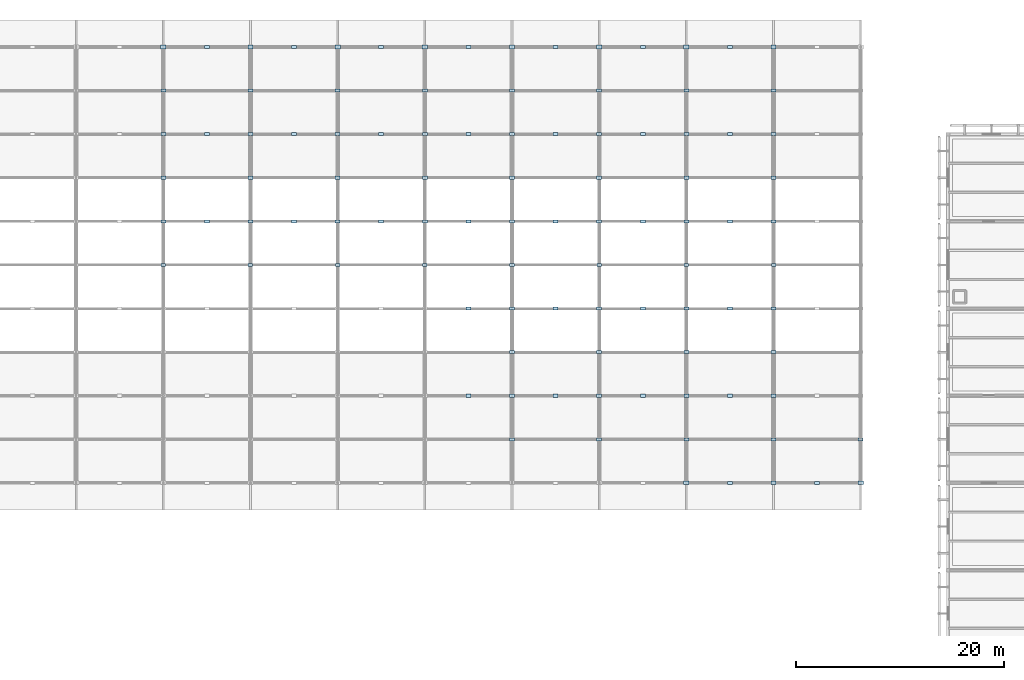
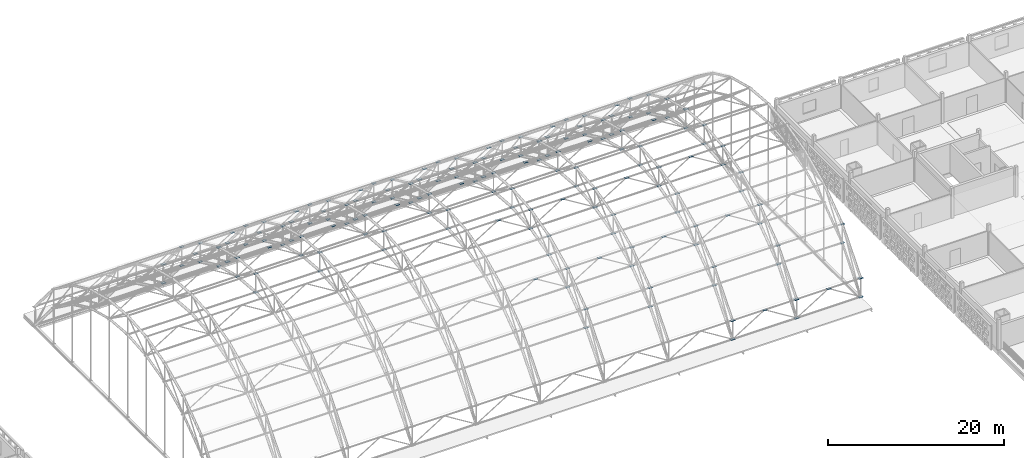
# One storey, part 67 of 103: 167 plates.
"""IFC4 building model written with IfcOpenShell, lengths in metres."""

import ifcopenshell
import ifcopenshell.guid

model = None  # the IFC model being written
_history = None  # IfcOwnerHistory: only IFC2X3 demands one
_inside = {}  # id of a spatial element -> (the spatial element, [elements in it])
_under = {}  # id of a project, library or spatial element -> (it, [spatial elements below it])
_declared = {}  # id of a project -> (the project, [libraries it declares])
_typed = {}  # id of a type object -> (the type object, [elements of that type])
_made_of = {}  # id of a material, layer set ... -> (it, [elements and type objects made of it])


def new_model(schema):
    """Start an empty IFC model of exactly this schema.

    Asked for "IFC4X3", IfcOpenShell would pick the latest addendum, in which some entities
    have other attributes; the version numbers below select the first issue.
    IFC2X3 requires an IfcOwnerHistory on every rooted entity: one is made here for all.
    """
    global model, _history
    if schema == "IFC4X3":
        model = ifcopenshell.file(schema_version=(4, 3, 0, 0))
    else:
        model = ifcopenshell.file(schema=schema)
    _inside.clear()
    _under.clear()
    _declared.clear()
    _typed.clear()
    _made_of.clear()
    _history = None
    if model.schema == "IFC2X3":
        org = make("IfcOrganization", Name="unknown")
        user = make(
            "IfcPersonAndOrganization",
            ThePerson=make("IfcPerson", FamilyName="unknown"),
            TheOrganization=org,
        )
        app = make(
            "IfcApplication",
            ApplicationDeveloper=org,
            Version="unknown",
            ApplicationFullName="unknown",
            ApplicationIdentifier="unknown",
        )
        _history = make(
            "IfcOwnerHistory",
            OwningUser=user,
            OwningApplication=app,
            ChangeAction="ADDED",
            CreationDate=0,
        )
    return model


def make(cls, **values):
    """One entity of the class cls with the attributes given. An attribute that is None is left unset."""
    return model.create_entity(
        cls, **{name: value for name, value in values.items() if value is not None}
    )


def rooted(cls, **values):
    """An entity with a GlobalId (a new one), such as an element, a storey or a relation."""
    return make(cls, GlobalId=ifcopenshell.guid.new(), OwnerHistory=_history, **values)


def si_unit(unit_type, name, prefix=None):
    """IfcSIUnit, for example si_unit("LENGTHUNIT", "METRE", prefix="MILLI")."""
    return make("IfcSIUnit", UnitType=unit_type, Prefix=prefix, Name=name)


def assignment(units):
    """IfcUnitAssignment: the units of a project."""
    return None if units is None else make("IfcUnitAssignment", Units=units)


def point(xyz):
    """IfcCartesianPoint."""
    return None if xyz is None else make("IfcCartesianPoint", Coordinates=xyz)


def direction(xyz):
    """IfcDirection."""
    return None if xyz is None else make("IfcDirection", DirectionRatios=xyz)


def frame(location, z_axis=None, x_axis=None):
    """IfcAxis2Placement3D, a coordinate frame: its origin and axes. An axis left out is left unset."""
    return make(
        "IfcAxis2Placement3D",
        Location=point(location),
        Axis=direction(z_axis),
        RefDirection=direction(x_axis),
    )


def frame_2d(location, x_axis=None):
    """IfcAxis2Placement2D, a coordinate frame in the plane: its origin and x axis."""
    return make(
        "IfcAxis2Placement2D", Location=point(location), RefDirection=direction(x_axis)
    )


def origin():
    """The frame at (0, 0, 0) with its axes left unset."""
    return frame((0.0, 0.0, 0.0))


def origin_2d():
    """The frame at (0, 0) in the plane with its x axis left unset."""
    return frame_2d((0.0, 0.0))


def place(relative_to, where):
    """IfcLocalPlacement: puts the frame where relative to a parent placement (None: the world)."""
    return make(
        "IfcLocalPlacement", PlacementRelTo=relative_to, RelativePlacement=where
    )


def context(
    kind, dimensions, precision=None, world=None, true_north=None, identifier=None
):
    """IfcGeometricRepresentationContext, for example the 3D "Model" context."""
    return make(
        "IfcGeometricRepresentationContext",
        ContextIdentifier=identifier,
        ContextType=kind,
        CoordinateSpaceDimension=dimensions,
        Precision=precision,
        WorldCoordinateSystem=world,
        TrueNorth=true_north,
    )


def subcontext(parent, identifier, kind, view, scale=None):
    """IfcGeometricRepresentationSubContext, for example "Body" below "Model"."""
    return make(
        "IfcGeometricRepresentationSubContext",
        ContextIdentifier=identifier,
        ContextType=kind,
        ParentContext=parent,
        TargetScale=scale,
        TargetView=view,
    )


def project(units=None, contexts=None):
    """IfcProject with its units and contexts."""
    return rooted(
        "IfcProject",
        Name="project",
        RepresentationContexts=contexts,
        UnitsInContext=assignment(units),
    )


def spatial(cls, under=None, at=None, **own):
    """A site, building, storey or space (cls), placed at a placement, below another one or the project."""
    s = rooted(cls, ObjectPlacement=at, **own)
    if under is not None:
        _under.setdefault(under.id(), (under, []))[1].append(s)
    return s


def profile(cls, at=None, kind="AREA", **sizes):
    """A parametric profile (cls). Its sizes go by their IFC names, for example OverallWidth=200.0."""
    return make(cls, ProfileType=kind, Position=at, **sizes)


def rectangle(**sizes):
    """IfcRectangleProfileDef."""
    return profile("IfcRectangleProfileDef", **sizes)


def extrude(swept, where, along, depth):
    """IfcExtrudedAreaSolid: the profile swept, set in the frame where, extruded along a direction by depth."""
    return make(
        "IfcExtrudedAreaSolid",
        SweptArea=swept,
        Position=where,
        ExtrudedDirection=direction(along),
        Depth=depth,
    )


def shape(context_of_items, identifier, shape_type, items):
    """IfcShapeRepresentation: the items that make up one representation, for example the "Body"."""
    return make(
        "IfcShapeRepresentation",
        ContextOfItems=context_of_items,
        RepresentationIdentifier=identifier,
        RepresentationType=shape_type,
        Items=items,
    )


def material(Name=None, Category=None):
    """IfcMaterial."""
    return make("IfcMaterial", Name=Name, Category=Category)


def layer(
    of_material, thickness, ventilated=None, Name=None, Category=None, Priority=None
):
    """IfcMaterialLayer: one layer of a wall or slab, of a material (None: an air gap)."""
    return make(
        "IfcMaterialLayer",
        Material=of_material,
        LayerThickness=thickness,
        IsVentilated=ventilated,
        Name=Name,
        Category=Category,
        Priority=Priority,
    )


def layer_set(layers, Name=None):
    """IfcMaterialLayerSet."""
    return make("IfcMaterialLayerSet", MaterialLayers=layers, LayerSetName=Name)


def made_of(thing, what):
    """Note that an element or type object is made of a material, layer set ...; save() writes the relation."""
    if what is not None:
        _made_of.setdefault(what.id(), (what, []))[1].append(thing)
    return thing


def type_object(cls, material=None, **own):
    """A type object (cls), such as IfcWallType, which elements share."""
    return made_of(rooted(cls, **own), material)


def element(
    cls,
    number,
    at=None,
    inside=None,
    cuts=None,
    type_object=None,
    material=None,
    context=None,
    identifier="Body",
    shape_type=None,
    held_by="IfcProductDefinitionShape",
    body=None,
    shapes=None,
    **own,
):
    """One element of the class cls, such as IfcWall. Its Tag is "e" and its number.

    at: its placement. inside: the storey or other place that contains it. cuts: it is an
    opening in that element (IfcRelVoidsElement). A single representation is given by context,
    identifier, shape_type and body (its items); several are given by shapes. held_by: the class
    of the entity that holds the representations. save() writes the other relations.
    """
    e = rooted(cls, Tag="e%d" % number, ObjectPlacement=at, **own)
    if body is not None:
        shapes = [shape(context, identifier, shape_type, body)]
    if shapes is not None:
        e.Representation = make(held_by, Representations=shapes)
    if inside is not None:
        _inside.setdefault(inside.id(), (inside, []))[1].append(e)
    if cuts is not None:
        rooted(
            "IfcRelVoidsElement", RelatingBuildingElement=cuts, RelatedOpeningElement=e
        )
    if type_object is not None:
        _typed.setdefault(type_object.id(), (type_object, []))[1].append(e)
    return made_of(e, material)


def aggregate(whole, parts):
    """IfcRelAggregates: a whole, such as a stair, and the parts it consists of."""
    return rooted("IfcRelAggregates", RelatingObject=whole, RelatedObjects=parts)


def save(model, path):
    """Write the relations noted so far, then the file.

    IfcRelAggregates (storeys below a building ...), IfcRelContainedInSpatialStructure (elements
    in a storey), IfcRelDefinesByType, IfcRelAssociatesMaterial and IfcRelDeclares: one each for
    every whole, place, type object, material and project.
    """
    for whole, parts in _under.values():
        aggregate(whole, parts)
    for where, things in _inside.values():
        rooted(
            "IfcRelContainedInSpatialStructure",
            RelatedElements=things,
            RelatingStructure=where,
        )
    for kind, things in _typed.values():
        rooted("IfcRelDefinesByType", RelatedObjects=things, RelatingType=kind)
    for what, things in _made_of.values():
        rooted("IfcRelAssociatesMaterial", RelatedObjects=things, RelatingMaterial=what)
    for by, libraries in _declared.values():
        rooted("IfcRelDeclares", RelatingContext=by, RelatedDefinitions=libraries)
    model.write(path)


model = new_model("IFC4")

# Units and contexts
model_context = context("Model", 3, precision=1e-05, world=origin(), true_north=direction((0.0, 1.0)))
body_context = subcontext(model_context, "Body", "Model", "MODEL_VIEW")
ifc_project = project(units=[si_unit("LENGTHUNIT", "METRE"), si_unit("AREAUNIT", "SQUARE_METRE"), si_unit("VOLUMEUNIT", "CUBIC_METRE"), si_unit("PLANEANGLEUNIT", "RADIAN"), si_unit("MASSUNIT", "GRAM", prefix="KILO")], contexts=[model_context])

# Site, building, storey
site_placement = place(None, origin())
site = spatial("IfcSite", under=ifc_project, at=site_placement, CompositionType="ELEMENT")
building_placement = place(site_placement, origin())
building = spatial("IfcBuilding", under=site, at=building_placement, Name="Varnapada Polytechnic", CompositionType="ELEMENT")
storey_placement = place(building_placement, frame((0.0, 0.0, 18.0)))
storey = spatial("IfcBuildingStorey", under=building, at=storey_placement, Name="L04", CompositionType="ELEMENT", Elevation=18.0)

# Plates
ifc_material = material(Name="Steel S355", Category="steel")
ifc_layer_1 = layer(ifc_material, 0.02490234375)
ifc_layer_set_1 = layer_set([ifc_layer_1], Name="Steel S355")
plate_type_1 = type_object("IfcPlateType", Name="Plate NP-01", PredefinedType="USERDEFINED", material=ifc_layer_set_1)
for number, where, z_axis, x_axis, name in (
    (1, (67.199951171875, 109.199951171875, 11.067626953125), (0.0, 0.0, 1.0), (1.0, 0.0, 0.0), "Vaulted space frame bottom node plate 3.7"),
    (2, (67.199951171875, 109.199951171875, 13.66748046875), (0.0, 0.0, 1.0), (1.0, 0.0, 0.0), "Vaulted space frame top node plate 3.7"),
    (3, (71.39990234375, 109.199951171875, 13.66748046875), (0.0, 0.0, 1.0), (1.0, 0.0, 0.0), "Vaulted space frame mid-chord brace plate 3.7"),
    (4, (67.199951171875, 113.39990234375, 9.969482421875), (0.0, 0.0, 1.0), (1.0, 0.0, 0.0), "Vaulted space frame bottom node plate 3.8"),
    (5, (67.199951171875, 113.39990234375, 12.5693359375), (0.0, 0.0, 1.0), (1.0, 0.0, 0.0), "Vaulted space frame top node plate 3.8"),
    (6, (67.199951171875, 117.60009765625, 8.015380859375), (0.0, 0.0, 1.0), (1.0, 0.0, 0.0), "Vaulted space frame bottom node plate 3.9"),
    (7, (67.199951171875, 117.60009765625, 10.615478515625), (0.0, 0.0, 1.0), (1.0, 0.0, 0.0), "Vaulted space frame top node plate 3.9"),
    (8, (71.39990234375, 117.60009765625, 10.615478515625), (0.0, 0.0, 1.0), (1.0, 0.0, 0.0), "Vaulted space frame mid-chord brace plate 3.9"),
    (9, (67.199951171875, 121.800048828125, 4.936767578125), (0.0, 0.0, 1.0), (1.0, 0.0, 0.0), "Vaulted space frame bottom node plate 3.10"),
    (10, (67.199951171875, 121.800048828125, 7.53662109375), (0.0, 0.0, 1.0), (1.0, 0.0, 0.0), "Vaulted space frame top node plate 3.10"),
    (11, (71.39990234375, 126.0, 2.587646484375), (0.0, 0.0, 1.0), (1.0, 0.0, 0.0), "Vaulted space frame mid-chord brace plate 3.11"),
    (12, (75.60009765625, 109.199951171875, 11.067626953125), (0.0, 0.0, 1.0), (1.0, 0.0, 0.0), "Vaulted space frame bottom node plate 4.7"),
    (13, (75.60009765625, 109.199951171875, 13.66748046875), (0.0, 0.0, 1.0), (1.0, 0.0, 0.0), "Vaulted space frame top node plate 4.7"),
    (14, (79.800048828125, 109.199951171875, 13.66748046875), (0.0, 0.0, 1.0), (1.0, 0.0, 0.0), "Vaulted space frame mid-chord brace plate 4.7"),
    (15, (75.60009765625, 113.39990234375, 9.969482421875), (0.0, 0.0, 1.0), (1.0, 0.0, 0.0), "Vaulted space frame bottom node plate 4.8"),
    (16, (75.60009765625, 113.39990234375, 12.5693359375), (0.0, 0.0, 1.0), (1.0, 0.0, 0.0), "Vaulted space frame top node plate 4.8"),
    (17, (75.60009765625, 117.60009765625, 8.015380859375), (0.0, 0.0, 1.0), (1.0, 0.0, 0.0), "Vaulted space frame bottom node plate 4.9"),
    (18, (75.60009765625, 117.60009765625, 10.615478515625), (0.0, 0.0, 1.0), (1.0, 0.0, 0.0), "Vaulted space frame top node plate 4.9"),
    (19, (79.800048828125, 117.60009765625, 10.615478515625), (0.0, 0.0, 1.0), (1.0, 0.0, 0.0), "Vaulted space frame mid-chord brace plate 4.9"),
    (20, (75.60009765625, 121.800048828125, 4.936767578125), (0.0, 0.0, 1.0), (1.0, 0.0, 0.0), "Vaulted space frame bottom node plate 4.10"),
    (21, (75.60009765625, 121.800048828125, 7.53662109375), (0.0, 0.0, 1.0), (1.0, 0.0, 0.0), "Vaulted space frame top node plate 4.10"),
    (22, (79.800048828125, 126.0, 2.587646484375), (0.0, 0.0, 1.0), (1.0, 0.0, 0.0), "Vaulted space frame mid-chord brace plate 4.11"),
    (23, (84.0, 109.199951171875, 11.067626953125), (0.0, 0.0, 1.0), (1.0, 0.0, 0.0), "Vaulted space frame bottom node plate 5.7"),
    (24, (84.0, 109.199951171875, 13.66748046875), (0.0, 0.0, 1.0), (1.0, 0.0, 0.0), "Vaulted space frame top node plate 5.7"),
    (25, (88.199951171875, 109.199951171875, 13.66748046875), (0.0, 0.0, 1.0), (1.0, 0.0, 0.0), "Vaulted space frame mid-chord brace plate 5.7"),
    (26, (84.0, 113.39990234375, 9.969482421875), (0.0, 0.0, 1.0), (1.0, 0.0, 0.0), "Vaulted space frame bottom node plate 5.8"),
    (27, (84.0, 113.39990234375, 12.5693359375), (0.0, 0.0, 1.0), (1.0, 0.0, 0.0), "Vaulted space frame top node plate 5.8"),
    (28, (84.0, 117.60009765625, 8.015380859375), (0.0, 0.0, 1.0), (1.0, 0.0, 0.0), "Vaulted space frame bottom node plate 5.9"),
    (29, (84.0, 117.60009765625, 10.615478515625), (0.0, 0.0, 1.0), (1.0, 0.0, 0.0), "Vaulted space frame top node plate 5.9"),
    (30, (88.199951171875, 117.60009765625, 10.615478515625), (0.0, 0.0, 1.0), (1.0, 0.0, 0.0), "Vaulted space frame mid-chord brace plate 5.9"),
    (31, (84.0, 121.800048828125, 4.936767578125), (0.0, 0.0, 1.0), (1.0, 0.0, 0.0), "Vaulted space frame bottom node plate 5.10"),
    (32, (84.0, 121.800048828125, 7.53662109375), (0.0, 0.0, 1.0), (1.0, 0.0, 0.0), "Vaulted space frame top node plate 5.10"),
    (33, (88.199951171875, 126.0, 2.587646484375), (0.0, 0.0, 1.0), (1.0, 0.0, 0.0), "Vaulted space frame mid-chord brace plate 5.11"),
    (34, (96.60009765625, 92.39990234375, 10.615478515625), (0.0, 0.0, 1.0), (1.0, 0.0, 0.0), "Vaulted space frame mid-chord brace plate 6.3"),
    (35, (96.60009765625, 100.800048828125, 13.66748046875), (0.0, 0.0, 1.0), (1.0, 0.0, 0.0), "Vaulted space frame mid-chord brace plate 6.5"),
    (36, (92.39990234375, 109.199951171875, 11.067626953125), (0.0, 0.0, 1.0), (1.0, 0.0, 0.0), "Vaulted space frame bottom node plate 6.7"),
    (37, (92.39990234375, 109.199951171875, 13.66748046875), (0.0, 0.0, 1.0), (1.0, 0.0, 0.0), "Vaulted space frame top node plate 6.7"),
    (38, (96.60009765625, 109.199951171875, 13.66748046875), (0.0, 0.0, 1.0), (1.0, 0.0, 0.0), "Vaulted space frame mid-chord brace plate 6.7"),
    (39, (92.39990234375, 113.39990234375, 9.969482421875), (0.0, 0.0, 1.0), (1.0, 0.0, 0.0), "Vaulted space frame bottom node plate 6.8"),
    (40, (92.39990234375, 113.39990234375, 12.5693359375), (0.0, 0.0, 1.0), (1.0, 0.0, 0.0), "Vaulted space frame top node plate 6.8"),
    (41, (92.39990234375, 117.60009765625, 8.015380859375), (0.0, 0.0, 1.0), (1.0, 0.0, 0.0), "Vaulted space frame bottom node plate 6.9"),
    (42, (92.39990234375, 117.60009765625, 10.615478515625), (0.0, 0.0, 1.0), (1.0, 0.0, 0.0), "Vaulted space frame top node plate 6.9"),
    (43, (96.60009765625, 117.60009765625, 10.615478515625), (0.0, 0.0, 1.0), (1.0, 0.0, 0.0), "Vaulted space frame mid-chord brace plate 6.9"),
    (44, (92.39990234375, 121.800048828125, 4.936767578125), (0.0, 0.0, 1.0), (1.0, 0.0, 0.0), "Vaulted space frame bottom node plate 6.10"),
    (45, (92.39990234375, 121.800048828125, 7.53662109375), (0.0, 0.0, 1.0), (1.0, 0.0, 0.0), "Vaulted space frame top node plate 6.10"),
    (46, (96.60009765625, 126.0, 2.587646484375), (0.0, 0.0, 1.0), (1.0, 0.0, 0.0), "Vaulted space frame mid-chord brace plate 6.11"),
    (47, (100.800048828125, 88.199951171875, 4.936767578125), (0.0, 0.0, 1.0), (1.0, 0.0, 0.0), "Vaulted space frame bottom node plate 7.2"),
    (48, (100.800048828125, 88.199951171875, 7.53662109375), (0.0, 0.0, 1.0), (1.0, 0.0, 0.0), "Vaulted space frame top node plate 7.2"),
    (49, (100.800048828125, 92.39990234375, 8.015380859375), (0.0, 0.0, 1.0), (1.0, 0.0, 0.0), "Vaulted space frame bottom node plate 7.3"),
    (50, (100.800048828125, 92.39990234375, 10.615478515625), (0.0, 0.0, 1.0), (1.0, 0.0, 0.0), "Vaulted space frame top node plate 7.3"),
    (51, (105.0, 92.39990234375, 10.615478515625), (0.0, 0.0, 1.0), (1.0, 0.0, 0.0), "Vaulted space frame mid-chord brace plate 7.3"),
    (52, (100.800048828125, 96.60009765625, 9.969482421875), (0.0, 0.0, 1.0), (1.0, 0.0, 0.0), "Vaulted space frame bottom node plate 7.4"),
    (53, (100.800048828125, 96.60009765625, 12.5693359375), (0.0, 0.0, 1.0), (1.0, 0.0, 0.0), "Vaulted space frame top node plate 7.4"),
    (54, (100.800048828125, 100.800048828125, 11.067626953125), (0.0, 0.0, 1.0), (1.0, 0.0, 0.0), "Vaulted space frame bottom node plate 7.5"),
    (55, (100.800048828125, 100.800048828125, 13.66748046875), (0.0, 0.0, 1.0), (1.0, 0.0, 0.0), "Vaulted space frame top node plate 7.5"),
    (56, (105.0, 100.800048828125, 13.66748046875), (0.0, 0.0, 1.0), (1.0, 0.0, 0.0), "Vaulted space frame mid-chord brace plate 7.5"),
    (57, (100.800048828125, 109.199951171875, 11.067626953125), (0.0, 0.0, 1.0), (1.0, 0.0, 0.0), "Vaulted space frame bottom node plate 7.7"),
    (58, (100.800048828125, 109.199951171875, 13.66748046875), (0.0, 0.0, 1.0), (1.0, 0.0, 0.0), "Vaulted space frame top node plate 7.7"),
    (59, (105.0, 109.199951171875, 13.66748046875), (0.0, 0.0, 1.0), (1.0, 0.0, 0.0), "Vaulted space frame mid-chord brace plate 7.7"),
    (60, (100.800048828125, 113.39990234375, 9.969482421875), (0.0, 0.0, 1.0), (1.0, 0.0, 0.0), "Vaulted space frame bottom node plate 7.8"),
    (61, (100.800048828125, 113.39990234375, 12.5693359375), (0.0, 0.0, 1.0), (1.0, 0.0, 0.0), "Vaulted space frame top node plate 7.8"),
    (62, (100.800048828125, 117.60009765625, 8.015380859375), (0.0, 0.0, 1.0), (1.0, 0.0, 0.0), "Vaulted space frame bottom node plate 7.9"),
    (63, (100.800048828125, 117.60009765625, 10.615478515625), (0.0, 0.0, 1.0), (1.0, 0.0, 0.0), "Vaulted space frame top node plate 7.9"),
    (64, (105.0, 117.60009765625, 10.615478515625), (0.0, 0.0, 1.0), (1.0, 0.0, 0.0), "Vaulted space frame mid-chord brace plate 7.9"),
    (65, (100.800048828125, 121.800048828125, 4.936767578125), (0.0, 0.0, 1.0), (1.0, 0.0, 0.0), "Vaulted space frame bottom node plate 7.10"),
    (66, (100.800048828125, 121.800048828125, 7.53662109375), (0.0, 0.0, 1.0), (1.0, 0.0, 0.0), "Vaulted space frame top node plate 7.10"),
    (67, (105.0, 126.0, 2.587646484375), (0.0, 0.0, 1.0), (1.0, 0.0, 0.0), "Vaulted space frame mid-chord brace plate 7.11"),
    (68, (109.199951171875, 88.199951171875, 4.936767578125), (0.0, 0.0, 1.0), (1.0, 0.0, 0.0), "Vaulted space frame bottom node plate 8.2"),
    (69, (109.199951171875, 88.199951171875, 7.53662109375), (0.0, 0.0, 1.0), (1.0, 0.0, 0.0), "Vaulted space frame top node plate 8.2"),
    (70, (109.199951171875, 92.39990234375, 8.015380859375), (0.0, 0.0, 1.0), (1.0, 0.0, 0.0), "Vaulted space frame bottom node plate 8.3"),
    (71, (109.199951171875, 92.39990234375, 10.615478515625), (0.0, 0.0, 1.0), (1.0, 0.0, 0.0), "Vaulted space frame top node plate 8.3"),
    (72, (113.39990234375, 92.39990234375, 10.615478515625), (0.0, 0.0, 1.0), (1.0, 0.0, 0.0), "Vaulted space frame mid-chord brace plate 8.3"),
    (73, (109.199951171875, 96.60009765625, 9.969482421875), (0.0, 0.0, 1.0), (1.0, 0.0, 0.0), "Vaulted space frame bottom node plate 8.4"),
    (74, (109.199951171875, 96.60009765625, 12.5693359375), (0.0, 0.0, 1.0), (1.0, 0.0, 0.0), "Vaulted space frame top node plate 8.4"),
    (75, (109.199951171875, 100.800048828125, 11.067626953125), (0.0, 0.0, 1.0), (1.0, 0.0, 0.0), "Vaulted space frame bottom node plate 8.5"),
    (76, (109.199951171875, 100.800048828125, 13.66748046875), (0.0, 0.0, 1.0), (1.0, 0.0, 0.0), "Vaulted space frame top node plate 8.5"),
    (77, (113.39990234375, 100.800048828125, 13.66748046875), (0.0, 0.0, 1.0), (1.0, 0.0, 0.0), "Vaulted space frame mid-chord brace plate 8.5"),
    (78, (109.199951171875, 109.199951171875, 11.067626953125), (0.0, 0.0, 1.0), (1.0, 0.0, 0.0), "Vaulted space frame bottom node plate 8.7"),
    (79, (109.199951171875, 109.199951171875, 13.66748046875), (0.0, 0.0, 1.0), (1.0, 0.0, 0.0), "Vaulted space frame top node plate 8.7"),
    (80, (113.39990234375, 109.199951171875, 13.66748046875), (0.0, 0.0, 1.0), (1.0, 0.0, 0.0), "Vaulted space frame mid-chord brace plate 8.7"),
    (81, (109.199951171875, 113.39990234375, 9.969482421875), (0.0, 0.0, 1.0), (1.0, 0.0, 0.0), "Vaulted space frame bottom node plate 8.8"),
    (82, (109.199951171875, 113.39990234375, 12.5693359375), (0.0, 0.0, 1.0), (1.0, 0.0, 0.0), "Vaulted space frame top node plate 8.8"),
    (83, (109.199951171875, 117.60009765625, 8.015380859375), (0.0, 0.0, 1.0), (1.0, 0.0, 0.0), "Vaulted space frame bottom node plate 8.9"),
    (84, (109.199951171875, 117.60009765625, 10.615478515625), (0.0, 0.0, 1.0), (1.0, 0.0, 0.0), "Vaulted space frame top node plate 8.9"),
    (85, (113.39990234375, 117.60009765625, 10.615478515625), (0.0, 0.0, 1.0), (1.0, 0.0, 0.0), "Vaulted space frame mid-chord brace plate 8.9"),
    (86, (109.199951171875, 121.800048828125, 4.936767578125), (0.0, 0.0, 1.0), (1.0, 0.0, 0.0), "Vaulted space frame bottom node plate 8.10"),
    (87, (109.199951171875, 121.800048828125, 7.53662109375), (0.0, 0.0, 1.0), (1.0, 0.0, 0.0), "Vaulted space frame top node plate 8.10"),
    (88, (113.39990234375, 126.0, 2.587646484375), (0.0, 0.0, 1.0), (1.0, 0.0, 0.0), "Vaulted space frame mid-chord brace plate 8.11"),
    (89, (121.800048828125, 84.0, 2.587646484375), (0.0, 0.0, 1.0), (1.0, 0.0, 0.0), "Vaulted space frame mid-chord brace plate 9.1"),
    (90, (117.60009765625, 88.199951171875, 4.936767578125), (0.0, 0.0, 1.0), (1.0, 0.0, 0.0), "Vaulted space frame bottom node plate 9.2"),
    (91, (117.60009765625, 88.199951171875, 7.53662109375), (0.0, 0.0, 1.0), (1.0, 0.0, 0.0), "Vaulted space frame top node plate 9.2"),
    (92, (117.60009765625, 92.39990234375, 8.015380859375), (0.0, 0.0, 1.0), (1.0, 0.0, 0.0), "Vaulted space frame bottom node plate 9.3"),
    (93, (117.60009765625, 92.39990234375, 10.615478515625), (0.0, 0.0, 1.0), (1.0, 0.0, 0.0), "Vaulted space frame top node plate 9.3"),
    (94, (121.800048828125, 92.39990234375, 10.615478515625), (0.0, 0.0, 1.0), (1.0, 0.0, 0.0), "Vaulted space frame mid-chord brace plate 9.3"),
    (95, (117.60009765625, 96.60009765625, 9.969482421875), (0.0, 0.0, 1.0), (1.0, 0.0, 0.0), "Vaulted space frame bottom node plate 9.4"),
    (96, (117.60009765625, 96.60009765625, 12.5693359375), (0.0, 0.0, 1.0), (1.0, 0.0, 0.0), "Vaulted space frame top node plate 9.4"),
    (97, (117.60009765625, 100.800048828125, 11.067626953125), (0.0, 0.0, 1.0), (1.0, 0.0, 0.0), "Vaulted space frame bottom node plate 9.5"),
    (98, (117.60009765625, 100.800048828125, 13.66748046875), (0.0, 0.0, 1.0), (1.0, 0.0, 0.0), "Vaulted space frame top node plate 9.5"),
    (99, (121.800048828125, 100.800048828125, 13.66748046875), (0.0, 0.0, 1.0), (1.0, 0.0, 0.0), "Vaulted space frame mid-chord brace plate 9.5"),
    (100, (117.60009765625, 109.199951171875, 11.067626953125), (0.0, 0.0, 1.0), (1.0, 0.0, 0.0), "Vaulted space frame bottom node plate 9.7"),
    (101, (117.60009765625, 109.199951171875, 13.66748046875), (0.0, 0.0, 1.0), (1.0, 0.0, 0.0), "Vaulted space frame top node plate 9.7"),
    (102, (121.800048828125, 109.199951171875, 13.66748046875), (0.0, 0.0, 1.0), (1.0, 0.0, 0.0), "Vaulted space frame mid-chord brace plate 9.7"),
    (103, (117.60009765625, 113.39990234375, 9.969482421875), (0.0, 0.0, 1.0), (1.0, 0.0, 0.0), "Vaulted space frame bottom node plate 9.8"),
    (104, (117.60009765625, 113.39990234375, 12.5693359375), (0.0, 0.0, 1.0), (1.0, 0.0, 0.0), "Vaulted space frame top node plate 9.8"),
    (105, (117.60009765625, 117.60009765625, 8.015380859375), (0.0, 0.0, 1.0), (1.0, 0.0, 0.0), "Vaulted space frame bottom node plate 9.9"),
    (106, (117.60009765625, 117.60009765625, 10.615478515625), (0.0, 0.0, 1.0), (1.0, 0.0, 0.0), "Vaulted space frame top node plate 9.9"),
    (107, (121.800048828125, 117.60009765625, 10.615478515625), (0.0, 0.0, 1.0), (1.0, 0.0, 0.0), "Vaulted space frame mid-chord brace plate 9.9"),
    (108, (117.60009765625, 121.800048828125, 4.936767578125), (0.0, 0.0, 1.0), (1.0, 0.0, 0.0), "Vaulted space frame bottom node plate 9.10"),
    (109, (117.60009765625, 121.800048828125, 7.53662109375), (0.0, 0.0, 1.0), (1.0, 0.0, 0.0), "Vaulted space frame top node plate 9.10"),
    (110, (121.800048828125, 126.0, 2.587646484375), (0.0, 0.0, 1.0), (1.0, 0.0, 0.0), "Vaulted space frame mid-chord brace plate 9.11"),
    (111, (130.199951171875, 84.0, 2.587646484375), (0.0, 0.0, 1.0), (1.0, 0.0, 0.0), "Vaulted space frame mid-chord brace plate 10.1"),
    (112, (126.0, 88.199951171875, 4.936767578125), (0.0, 0.0, 1.0), (1.0, 0.0, 0.0), "Vaulted space frame bottom node plate 10.2"),
    (113, (126.0, 88.199951171875, 7.53662109375), (0.0, 0.0, 1.0), (1.0, 0.0, 0.0), "Vaulted space frame top node plate 10.2"),
    (114, (126.0, 92.39990234375, 8.015380859375), (0.0, 0.0, 1.0), (1.0, 0.0, 0.0), "Vaulted space frame bottom node plate 10.3"),
    (115, (126.0, 92.39990234375, 10.615478515625), (0.0, 0.0, 1.0), (1.0, 0.0, 0.0), "Vaulted space frame top node plate 10.3"),
    (116, (126.0, 96.60009765625, 9.969482421875), (0.0, 0.0, 1.0), (1.0, 0.0, 0.0), "Vaulted space frame bottom node plate 10.4"),
    (117, (126.0, 96.60009765625, 12.5693359375), (0.0, 0.0, 1.0), (1.0, 0.0, 0.0), "Vaulted space frame top node plate 10.4"),
    (118, (126.0, 100.800048828125, 11.067626953125), (0.0, 0.0, 1.0), (1.0, 0.0, 0.0), "Vaulted space frame bottom node plate 10.5"),
    (119, (126.0, 100.800048828125, 13.66748046875), (0.0, 0.0, 1.0), (1.0, 0.0, 0.0), "Vaulted space frame top node plate 10.5"),
    (120, (126.0, 109.199951171875, 11.067626953125), (0.0, 0.0, 1.0), (1.0, 0.0, 0.0), "Vaulted space frame bottom node plate 10.7"),
    (121, (126.0, 109.199951171875, 13.66748046875), (0.0, 0.0, 1.0), (1.0, 0.0, 0.0), "Vaulted space frame top node plate 10.7"),
    (122, (126.0, 113.39990234375, 9.969482421875), (0.0, 0.0, 1.0), (1.0, 0.0, 0.0), "Vaulted space frame bottom node plate 10.8"),
    (123, (126.0, 113.39990234375, 12.5693359375), (0.0, 0.0, 1.0), (1.0, 0.0, 0.0), "Vaulted space frame top node plate 10.8"),
    (124, (126.0, 117.60009765625, 8.015380859375), (0.0, 0.0, 1.0), (1.0, 0.0, 0.0), "Vaulted space frame bottom node plate 10.9"),
    (125, (126.0, 117.60009765625, 10.615478515625), (0.0, 0.0, 1.0), (1.0, 0.0, 0.0), "Vaulted space frame top node plate 10.9"),
    (126, (126.0, 121.800048828125, 4.936767578125), (0.0, 0.0, 1.0), (1.0, 0.0, 0.0), "Vaulted space frame bottom node plate 10.10"),
    (127, (126.0, 121.800048828125, 7.53662109375), (0.0, 0.0, 1.0), (1.0, 0.0, 0.0), "Vaulted space frame top node plate 10.10"),
    (128, (134.39990234375, 88.199951171875, 4.936767578125), (0.0, 0.0, 1.0), (1.0, 0.0, 0.0), "Vaulted space frame bottom node plate 11.2"),
    (129, (134.39990234375, 88.199951171875, 7.53662109375), (0.0, 0.0, 1.0), (1.0, 0.0, 0.0), "Vaulted space frame top node plate 11.2"),
):
    element("IfcPlate", number, at=place(storey_placement, frame(where, z_axis=z_axis, x_axis=x_axis)), inside=storey, type_object=plate_type_1, Name=name, ObjectType="NODE_PLATE", PredefinedType="USERDEFINED", context=body_context, shape_type="SweptSolid", body=[
        extrude(rectangle(XDim=0.47998046875, YDim=0.300048828125, at=origin_2d()), origin(), (0.0, 0.0, 1.0), 0.02490234375),
    ])
ifc_layer_2 = layer(ifc_material, 0.028076171875)
ifc_layer_set_2 = layer_set([ifc_layer_2], Name="Steel S355")
plate_type_2 = type_object("IfcPlateType", Name="Plate NP-03", PredefinedType="USERDEFINED", material=ifc_layer_set_2)
for number, where, z_axis, x_axis, name in (
    (130, (67.199951171875, 126.0, -0.01416015625), (0.0, 0.0, 1.0), (1.0, 0.0, 0.0), "Vaulted space frame bottom node plate 3.11"),
    (131, (67.199951171875, 126.0, 2.5859375), (0.0, 0.0, 1.0), (1.0, 0.0, 0.0), "Vaulted space frame top node plate 3.11"),
    (132, (75.60009765625, 126.0, -0.01416015625), (0.0, 0.0, 1.0), (1.0, 0.0, 0.0), "Vaulted space frame bottom node plate 4.11"),
    (133, (75.60009765625, 126.0, 2.5859375), (0.0, 0.0, 1.0), (1.0, 0.0, 0.0), "Vaulted space frame top node plate 4.11"),
    (134, (84.0, 126.0, -0.01416015625), (0.0, 0.0, 1.0), (1.0, 0.0, 0.0), "Vaulted space frame bottom node plate 5.11"),
    (135, (84.0, 126.0, 2.5859375), (0.0, 0.0, 1.0), (1.0, 0.0, 0.0), "Vaulted space frame top node plate 5.11"),
    (136, (92.39990234375, 126.0, -0.01416015625), (0.0, 0.0, 1.0), (1.0, 0.0, 0.0), "Vaulted space frame bottom node plate 6.11"),
    (137, (92.39990234375, 126.0, 2.5859375), (0.0, 0.0, 1.0), (1.0, 0.0, 0.0), "Vaulted space frame top node plate 6.11"),
    (138, (100.800048828125, 126.0, -0.01416015625), (0.0, 0.0, 1.0), (1.0, 0.0, 0.0), "Vaulted space frame bottom node plate 7.11"),
    (139, (100.800048828125, 126.0, 2.5859375), (0.0, 0.0, 1.0), (1.0, 0.0, 0.0), "Vaulted space frame top node plate 7.11"),
    (140, (109.199951171875, 126.0, -0.01416015625), (0.0, 0.0, 1.0), (1.0, 0.0, 0.0), "Vaulted space frame bottom node plate 8.11"),
    (141, (109.199951171875, 126.0, 2.5859375), (0.0, 0.0, 1.0), (1.0, 0.0, 0.0), "Vaulted space frame top node plate 8.11"),
    (142, (117.60009765625, 84.0, -0.01416015625), (0.0, 0.0, 1.0), (1.0, 0.0, 0.0), "Vaulted space frame bottom node plate 9.1"),
    (143, (117.60009765625, 84.0, 2.5859375), (0.0, 0.0, 1.0), (1.0, 0.0, 0.0), "Vaulted space frame top node plate 9.1"),
    (144, (117.60009765625, 126.0, -0.01416015625), (0.0, 0.0, 1.0), (1.0, 0.0, 0.0), "Vaulted space frame bottom node plate 9.11"),
    (145, (117.60009765625, 126.0, 2.5859375), (0.0, 0.0, 1.0), (1.0, 0.0, 0.0), "Vaulted space frame top node plate 9.11"),
    (146, (126.0, 84.0, -0.01416015625), (0.0, 0.0, 1.0), (1.0, 0.0, 0.0), "Vaulted space frame bottom node plate 10.1"),
    (147, (126.0, 84.0, 2.5859375), (0.0, 0.0, 1.0), (1.0, 0.0, 0.0), "Vaulted space frame top node plate 10.1"),
    (148, (126.0, 126.0, -0.01416015625), (0.0, 0.0, 1.0), (1.0, 0.0, 0.0), "Vaulted space frame bottom node plate 10.11"),
    (149, (126.0, 126.0, 2.5859375), (0.0, 0.0, 1.0), (1.0, 0.0, 0.0), "Vaulted space frame top node plate 10.11"),
    (150, (134.39990234375, 84.0, -0.01416015625), (0.0, 0.0, 1.0), (1.0, 0.0, 0.0), "Vaulted space frame bottom node plate 11.1"),
    (151, (134.39990234375, 84.0, 2.5859375), (0.0, 0.0, 1.0), (1.0, 0.0, 0.0), "Vaulted space frame top node plate 11.1"),
):
    element("IfcPlate", number, at=place(storey_placement, frame(where, z_axis=z_axis, x_axis=x_axis)), inside=storey, type_object=plate_type_2, Name=name, ObjectType="NODE_PLATE", PredefinedType="USERDEFINED", context=body_context, shape_type="SweptSolid", body=[
        extrude(rectangle(XDim=0.52001953125, YDim=0.340087890625, at=origin_2d()), origin(), (0.0, 0.0, 1.0), 0.028076171875),
    ])
ifc_layer_3 = layer(ifc_material, 0.02392578125)
ifc_layer_set_3 = layer_set([ifc_layer_3], Name="Steel S355")
plate_type_3 = type_object("IfcPlateType", Name="Plate NP-05", PredefinedType="USERDEFINED", material=ifc_layer_set_3)
for number, where, z_axis, x_axis, name in (
    (152, (67.199951171875, 105.0, 11.42333984375), (0.0, 0.0, 1.0), (1.0, 0.0, 0.0), "Vaulted space frame bottom node plate 3.6"),
    (153, (67.199951171875, 105.0, 14.0234375), (0.0, 0.0, 1.0), (1.0, 0.0, 0.0), "Vaulted space frame top node plate 3.6"),
    (154, (75.60009765625, 105.0, 11.42333984375), (0.0, 0.0, 1.0), (1.0, 0.0, 0.0), "Vaulted space frame bottom node plate 4.6"),
    (155, (75.60009765625, 105.0, 14.0234375), (0.0, 0.0, 1.0), (1.0, 0.0, 0.0), "Vaulted space frame top node plate 4.6"),
    (156, (84.0, 105.0, 11.42333984375), (0.0, 0.0, 1.0), (1.0, 0.0, 0.0), "Vaulted space frame bottom node plate 5.6"),
    (157, (84.0, 105.0, 14.0234375), (0.0, 0.0, 1.0), (1.0, 0.0, 0.0), "Vaulted space frame top node plate 5.6"),
    (158, (92.39990234375, 105.0, 11.42333984375), (0.0, 0.0, 1.0), (1.0, 0.0, 0.0), "Vaulted space frame bottom node plate 6.6"),
    (159, (92.39990234375, 105.0, 14.0234375), (0.0, 0.0, 1.0), (1.0, 0.0, 0.0), "Vaulted space frame top node plate 6.6"),
    (160, (100.800048828125, 105.0, 11.42333984375), (0.0, 0.0, 1.0), (1.0, 0.0, 0.0), "Vaulted space frame bottom node plate 7.6"),
    (161, (100.800048828125, 105.0, 14.0234375), (0.0, 0.0, 1.0), (1.0, 0.0, 0.0), "Vaulted space frame top node plate 7.6"),
    (162, (109.199951171875, 105.0, 11.42333984375), (0.0, 0.0, 1.0), (1.0, 0.0, 0.0), "Vaulted space frame bottom node plate 8.6"),
    (163, (109.199951171875, 105.0, 14.0234375), (0.0, 0.0, 1.0), (1.0, 0.0, 0.0), "Vaulted space frame top node plate 8.6"),
    (164, (117.60009765625, 105.0, 11.42333984375), (0.0, 0.0, 1.0), (1.0, 0.0, 0.0), "Vaulted space frame bottom node plate 9.6"),
    (165, (117.60009765625, 105.0, 14.0234375), (0.0, 0.0, 1.0), (1.0, 0.0, 0.0), "Vaulted space frame top node plate 9.6"),
    (166, (126.0, 105.0, 11.42333984375), (0.0, 0.0, 1.0), (1.0, 0.0, 0.0), "Vaulted space frame bottom node plate 10.6"),
    (167, (126.0, 105.0, 14.0234375), (0.0, 0.0, 1.0), (1.0, 0.0, 0.0), "Vaulted space frame top node plate 10.6"),
):
    element("IfcPlate", number, at=place(storey_placement, frame(where, z_axis=z_axis, x_axis=x_axis)), inside=storey, type_object=plate_type_3, Name=name, ObjectType="NODE_PLATE", PredefinedType="USERDEFINED", context=body_context, shape_type="SweptSolid", body=[
        extrude(rectangle(XDim=0.43994140625, YDim=0.280029296875, at=origin_2d()), origin(), (0.0, 0.0, 1.0), 0.02392578125),
    ])

save(model, "model.ifc")
